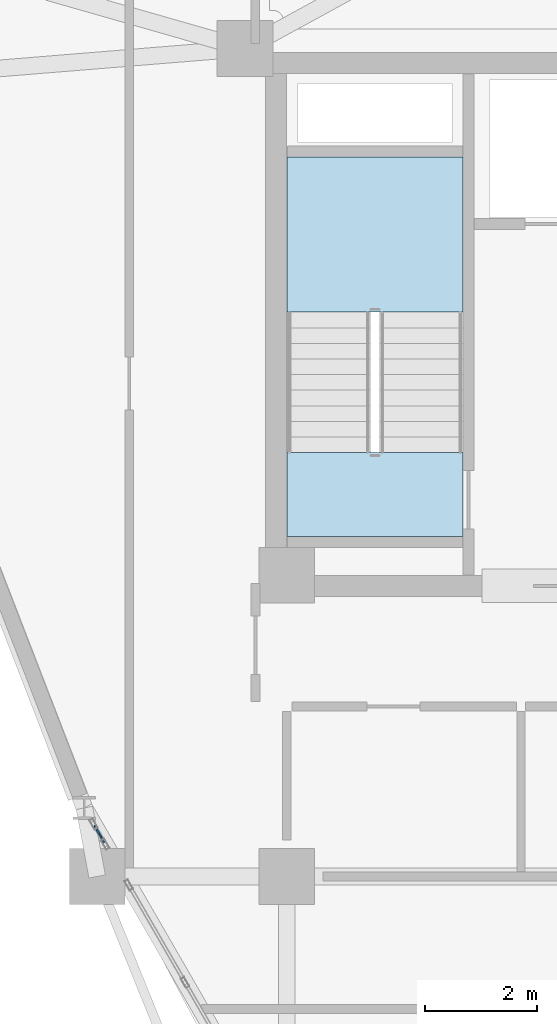
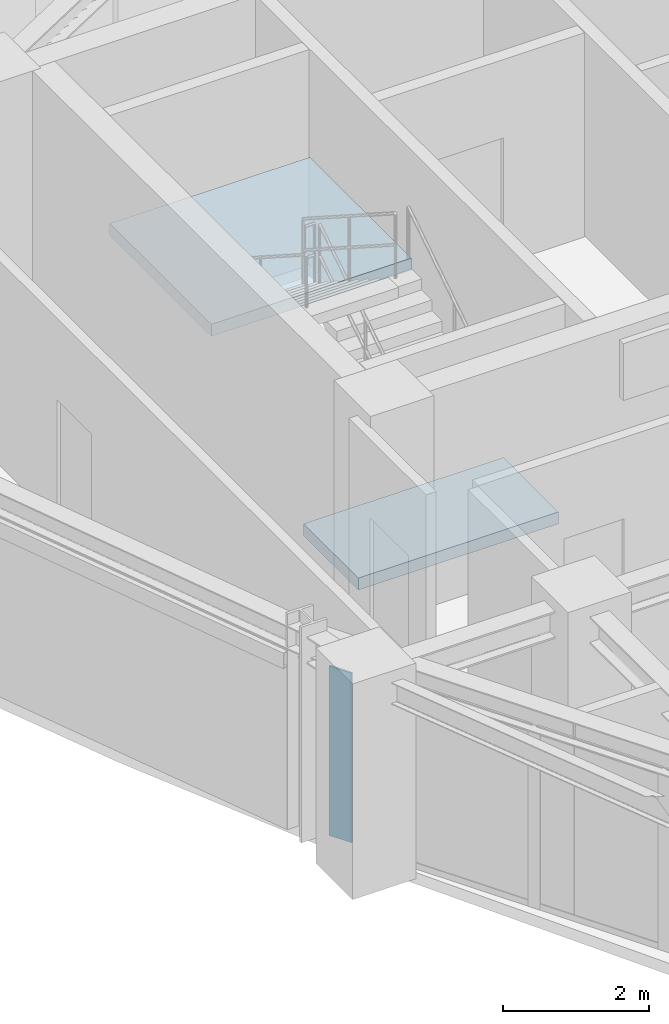
# One storey, part 11 of 16: 2 slabs, 1 plate, 2 elements without a shape of their own.
"""IFC4 building model written with IfcOpenShell, lengths in metres."""

from ifc_helpers import new_model, si_unit, derived_unit, direction, frame, origin, origin_2d, place, context, subcontext, project, spatial, polyline, rectangle, outline, extrude, source, transform, mapped, material, layer, layer_set, type_object, element, aggregate, save


model = new_model("IFC4")

# Units and contexts
model_context = context("Model", 3, precision=1e-05, world=origin(), true_north=direction((0.0, 1.0)))
body_context = subcontext(model_context, "Body", "Model", "MODEL_VIEW")
ifc_project = project(units=[si_unit("LENGTHUNIT", "METRE"), si_unit("AREAUNIT", "SQUARE_METRE"), si_unit("VOLUMEUNIT", "CUBIC_METRE"), si_unit("PLANEANGLEUNIT", "RADIAN"), si_unit("MASSUNIT", "GRAM", prefix="KILO"), derived_unit("THERMALTRANSMITTANCEUNIT", [(si_unit("POWERUNIT", "WATT"), 1), (si_unit("LENGTHUNIT", "METRE"), -2), (si_unit("THERMODYNAMICTEMPERATUREUNIT", "KELVIN"), -1)])], contexts=[model_context])

# Site, building, storey
site_placement = place(None, origin())
site = spatial("IfcSite", under=ifc_project, at=site_placement, CompositionType="ELEMENT")
building_placement = place(site_placement, origin())
building = spatial("IfcBuilding", under=site, at=building_placement, Name="Korsvarv Bourse and Concert Hall", CompositionType="ELEMENT")
storey_placement = place(building_placement, frame((0.0, 0.0, 231.0)))
storey = spatial("IfcBuildingStorey", under=building, at=storey_placement, Name="L60", CompositionType="ELEMENT", Elevation=231.0)

# Slab
ifc_material_1 = material(Name="Precast concrete C45/55", Category="concrete")
ifc_layer_1 = layer(ifc_material_1, 0.199951171875)
ifc_layer_set_1 = layer_set([ifc_layer_1], Name="Precast concrete C45/55")
slab_type_1 = type_object("IfcSlabType", Name="SLB-FLND-T", PredefinedType="LANDING", material=ifc_layer_set_1)
slab_1_placement = place(storey_placement, frame((0.0, 0.0, -0.199951171875)))
element("IfcSlab", 1, at=slab_1_placement, inside=storey, type_object=slab_type_1, Name="L60 Stair ST-T1 Floor Landing Slab", PredefinedType="LANDING", context=body_context, shape_type="SweptSolid", body=[
    extrude(outline(polyline([(30.760009765625, 38.5), (30.760009765625, 40.0), (27.60009765625, 40.0), (27.60009765625, 38.5), (30.760009765625, 38.5)])), origin(), (0.0, 0.0, 1.0), 0.199951171875),
])

# Stair, slab
stair_type = type_object("IfcStairType", Name="STR-TYPE-04", PredefinedType="HALF_TURN_STAIR", material=ifc_material_1)
stair_placement = place(storey_placement, origin())
stair = element("IfcStair", 2, at=stair_placement, inside=storey, type_object=stair_type, Name="L60 Tower West Exit Stair ST-T1", PredefinedType="HALF_TURN_STAIR")
ifc_layer_2 = layer(ifc_material_1, 0.199951171875)
ifc_layer_set_2 = layer_set([ifc_layer_2], Name="Precast concrete C45/55")
slab_type_2 = type_object("IfcSlabType", Name="SLB-ST-LND", PredefinedType="LANDING", material=ifc_layer_set_2)
slab_2_placement = place(storey_placement, frame((0.0, 0.0, 1.60009765625)))
slab_2 = element("IfcSlab", 3, at=slab_2_placement, type_object=slab_type_2, Name="ST-T1 landing 1", PredefinedType="LANDING", context=body_context, shape_type="SweptSolid", body=[
    extrude(outline(polyline([(30.760009765625, 42.52001953125), (30.760009765625, 45.300048828125), (27.60009765625, 45.300048828125), (27.60009765625, 42.52001953125), (30.760009765625, 42.52001953125)])), origin(), (0.0, 0.0, 1.0), 0.199951171875),
])
aggregate(stair, [slab_2])

# Curtain wall, plate
ifc_material_2 = material(Name="Anodised aluminium and triple low-E glazing", Category="glass")
ifc_layer_3 = layer(ifc_material_2, 0.199951171875)
ifc_layer_set_3 = layer_set([ifc_layer_3], Name="Anodised aluminium and triple low-E glazing")
curtain_wall_type = type_object("IfcCurtainWallType", Name="CW-SYS-3", PredefinedType="NOTDEFINED", material=ifc_layer_set_3)
curtain_wall_placement = place(storey_placement, origin())
curtain_wall = element("IfcCurtainWall", 4, at=curtain_wall_placement, inside=storey, type_object=curtain_wall_type, Name="L60 CW3 curtain wall CW-L60-F07-1", PredefinedType="NOTDEFINED")
ifc_material_3 = material(Name="Insulated spandrel glass", Category="glass")
ifc_layer_4 = layer(ifc_material_3, 0.031982421875)
ifc_layer_set_4 = layer_set([ifc_layer_4], Name="Insulated spandrel glass")
plate_type = type_object("IfcPlateType", Name="CWP-SPD1", PredefinedType="CURTAIN_PANEL", material=ifc_layer_set_4)
shared_shape = source(origin(), body_context, "Body", "SweptSolid", [
    extrude(rectangle(XDim=0.34619140625, YDim=0.031982421875, at=origin_2d()), origin(), (0.0, 0.0, 1.0), 2.830078125),
])
plate_placement = place(storey_placement, frame((24.240478515625, 33.16064453125, 0.06494140625), z_axis=(0.0, 0.0, 1.0), x_axis=(0.499965759325, -0.866045171745, 0.0)))
plate = element("IfcPlate", 5, at=plate_placement, type_object=plate_type, Name="CW3 spandrel shadow-box panel 1.1", PredefinedType="CURTAIN_PANEL", context=body_context, shape_type="MappedRepresentation", body=[
    mapped(shared_shape, transform((0.0, 0.0, 0.0), scale=1.0)),
])
aggregate(curtain_wall, [plate])

save(model, "model.ifc")
